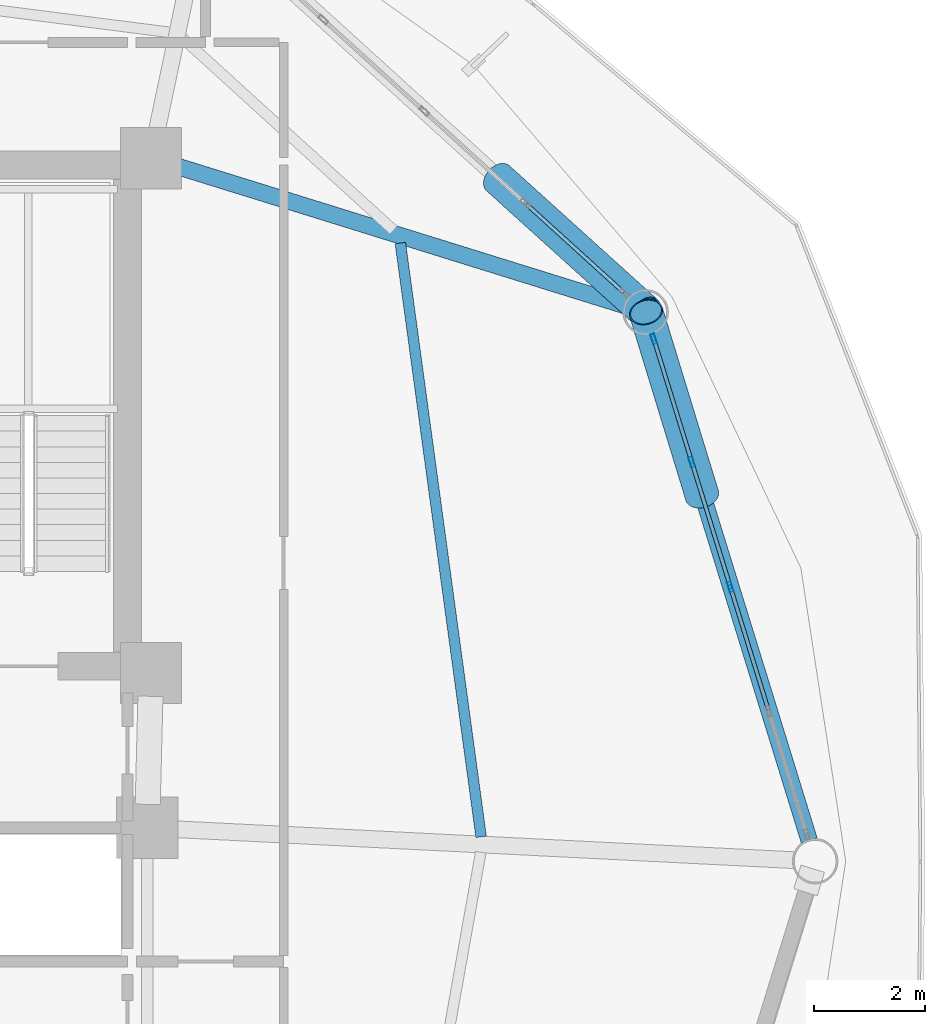
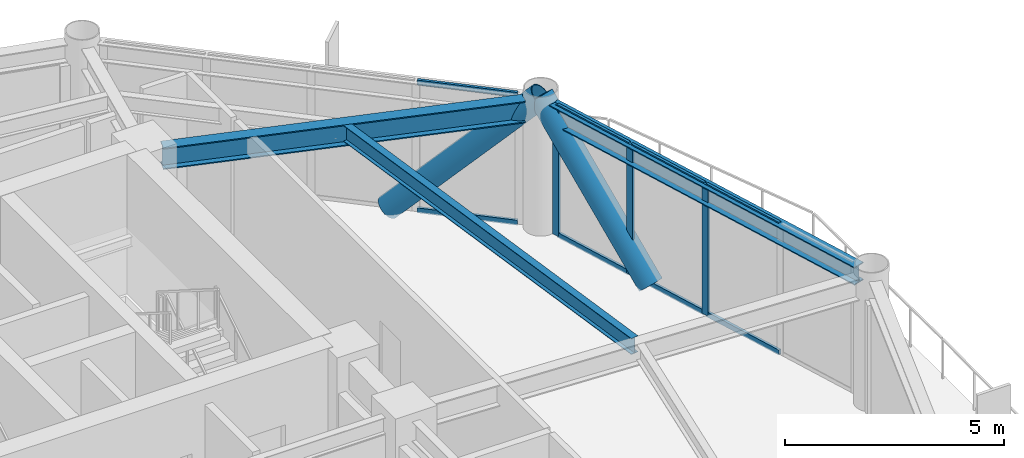
# One storey, part 13 of 23: 13 members, 3 beams, 2 elements without a shape of their own.
"""IFC4 building model written with IfcOpenShell, lengths in metres."""

from ifc_helpers import new_model, si_unit, direction, frame, origin, origin_2d, place, context, subcontext, project, spatial, hollow_rectangle, hollow_circle, i_section, extrude, material, layer, layer_set, material_profile, profile_set, type_object, element, aggregate, save


model = new_model("IFC4")

# Units and contexts
model_context = context("Model", 3, precision=1e-05, world=origin(), true_north=direction((0.0, 1.0)))
body_context = subcontext(model_context, "Body", "Model", "MODEL_VIEW")
ifc_project = project(units=[si_unit("LENGTHUNIT", "METRE"), si_unit("AREAUNIT", "SQUARE_METRE"), si_unit("VOLUMEUNIT", "CUBIC_METRE"), si_unit("PLANEANGLEUNIT", "RADIAN"), si_unit("MASSUNIT", "GRAM", prefix="KILO")], contexts=[model_context])

# Site, building, storey
site_placement = place(None, origin())
site = spatial("IfcSite", under=ifc_project, at=site_placement, CompositionType="ELEMENT")
building_placement = place(site_placement, origin())
building = spatial("IfcBuilding", under=site, at=building_placement, Name="Varnakorn Sky Granary", CompositionType="ELEMENT")
storey_placement = place(building_placement, frame((0.0, 0.0, 83.699951171875)))
storey = spatial("IfcBuildingStorey", under=building, at=storey_placement, Name="L20", CompositionType="ELEMENT", Elevation=83.699951171875)

# Beams
ifc_material_1 = material(Name="Steel S355JR", Category="steel")
ifc_material_profile_1 = material_profile(ifc_material_1, i_section(OverallWidth=0.300048828125, OverallDepth=0.60009765625, WebThickness=0.015380859375, FlangeThickness=0.030029296875, at=origin_2d()), Name="HE 600 B")
ifc_profile_set_1 = profile_set([ifc_material_profile_1], Name="Steel S355JR")
beam_type_1 = type_object("IfcBeamType", Name="BM-RAD-Z2", PredefinedType="BEAM", material=ifc_profile_set_1)
beam_1_placement = place(storey_placement, frame((8.821044921875, 12.495361328125, 3.340087890625), z_axis=(0.954911658406, -0.296890088486, 0.0), x_axis=(0.296890088486, 0.954911658406, 0.0)))
element("IfcBeam", 1, at=beam_1_placement, inside=storey, type_object=beam_type_1, Name="Radial Floor Girder RG02 L20", PredefinedType="BEAM", context=body_context, shape_type="SweptSolid", body=[
    extrude(i_section(OverallWidth=0.300048828125, OverallDepth=0.60009765625, WebThickness=0.015380859375, FlangeThickness=0.030029296875, at=origin_2d()), origin(), (0.0, 0.0, 1.0), 8.493896484375),
])
ifc_material_profile_2 = material_profile(ifc_material_1, i_section(OverallWidth=0.18994140625, OverallDepth=0.449951171875, WebThickness=0.009521484375, FlangeThickness=0.0146484375, at=origin_2d()), Name="IPE 450")
ifc_profile_set_2 = profile_set([ifc_material_profile_2], Name="Steel S355JR")
beam_type_2 = type_object("IfcBeamType", Name="BM-SEC-Z2", PredefinedType="BEAM", material=ifc_profile_set_2)
beam_2_placement = place(storey_placement, frame((14.345458984375, 0.43798828125, 3.4150390625), z_axis=(-0.134805274658, 0.990872109772, 0.0), x_axis=(-0.990872109772, -0.134805274658, 0.0)))
element("IfcBeam", 2, at=beam_2_placement, inside=storey, type_object=beam_type_2, Name="Secondary Floor Chord Beam MSB01 L20", PredefinedType="BEAM", context=body_context, shape_type="SweptSolid", body=[
    extrude(i_section(OverallWidth=0.18994140625, OverallDepth=0.449951171875, WebThickness=0.009521484375, FlangeThickness=0.0146484375, at=origin_2d()), origin(), (0.0, 0.0, 1.0), 10.755859375),
])
ifc_material_profile_3 = material_profile(ifc_material_1, i_section(OverallWidth=0.300048828125, OverallDepth=0.5, WebThickness=0.014404296875, FlangeThickness=0.028076171875, at=origin_2d()), Name="HE 500 B")
ifc_profile_set_3 = profile_set([ifc_material_profile_3], Name="Steel S355JR")
beam_type_3 = type_object("IfcBeamType", Name="BM-SPD-Z2", PredefinedType="SPANDREL", material=ifc_profile_set_3)
beam_3_placement = place(storey_placement, frame((20.234619140625, 0.3740234375, 3.39013671875), z_axis=(-0.295100569663, 0.955466197091, 0.0), x_axis=(-0.955466197091, -0.295100569663, 0.0)))
element("IfcBeam", 3, at=beam_3_placement, inside=storey, type_object=beam_type_3, Name="Perimeter Spandrel Ring Beam RB01 L20", PredefinedType="SPANDREL", context=body_context, shape_type="SweptSolid", body=[
    extrude(i_section(OverallWidth=0.300048828125, OverallDepth=0.5, WebThickness=0.014404296875, FlangeThickness=0.028076171875, at=origin_2d()), origin(), (0.0, 0.0, 1.0), 9.533935546875),
])

# Curtain wall, members
ifc_material_2 = material(Name="Anodised Bronze Aluminium Alloy 6063-T6", Category="aluminium")
ifc_layer = layer(ifc_material_2, 0.18994140625, Name="Anodised Bronze Aluminium Alloy 6063-T6")
ifc_layer_set = layer_set([ifc_layer], Name="Anodised Bronze Aluminium Alloy 6063-T6")
curtain_wall_type = type_object("IfcCurtainWallType", Name="CW-FRM-1", PredefinedType="USERDEFINED", material=ifc_layer_set)
curtain_wall_1_placement = place(storey_placement, origin())
curtain_wall_1 = element("IfcCurtainWall", 4, at=curtain_wall_1_placement, inside=storey, type_object=curtain_wall_type, Name="Unitised Curtain Wall CW3 CW-L20-B01", ObjectType="CURTAIN WALL", PredefinedType="USERDEFINED")
ifc_material_profile_4 = material_profile(ifc_material_2, hollow_rectangle(XDim=0.070068359375, YDim=0.18505859375, WallThickness=0.00390625, at=origin_2d()), Name="ALU MULL 70x185")
ifc_profile_set_4 = profile_set([ifc_material_profile_4], Name="Anodised Bronze Aluminium Alloy 6063-T6")
member_type_1 = type_object("IfcMemberType", Name="CW-FRM-1-MULL", PredefinedType="MULLION", material=ifc_profile_set_4)
member_1_placement = place(storey_placement, frame((17.445068359375, 9.374267578125, 0.0), z_axis=(0.0, 0.0, 1.0), x_axis=(0.955474912193, 0.295072350738, 0.0)))
member_1 = element("IfcMember", 5, at=member_1_placement, type_object=member_type_1, Name="CW3 mullion 1", PredefinedType="MULLION", context=body_context, shape_type="SweptSolid", body=[
    extrude(hollow_rectangle(XDim=0.070068359375, YDim=0.18505859375, WallThickness=0.00390625, at=origin_2d()), origin(), (0.0, 0.0, 1.0), 3.64013671875),
])
member_2_placement = place(storey_placement, frame((18.126708984375, 7.167236328125, 0.0), z_axis=(0.0, 0.0, 1.0), x_axis=(0.955474912193, 0.295072350738, 0.0)))
member_2 = element("IfcMember", 6, at=member_2_placement, type_object=member_type_1, Name="CW3 mullion 2", PredefinedType="MULLION", context=body_context, shape_type="SweptSolid", body=[
    extrude(hollow_rectangle(XDim=0.070068359375, YDim=0.18505859375, WallThickness=0.00390625, at=origin_2d()), origin(), (0.0, 0.0, 1.0), 3.64013671875),
])
member_3_placement = place(storey_placement, frame((18.818603515625, 4.9267578125, 0.0), z_axis=(0.0, 0.0, 1.0), x_axis=(0.955474912193, 0.295072350738, 0.0)))
member_3 = element("IfcMember", 7, at=member_3_placement, type_object=member_type_1, Name="CW3 mullion 3", PredefinedType="MULLION", context=body_context, shape_type="SweptSolid", body=[
    extrude(hollow_rectangle(XDim=0.070068359375, YDim=0.18505859375, WallThickness=0.00390625, at=origin_2d()), origin(), (0.0, 0.0, 1.0), 3.64013671875),
])
ifc_material_profile_5 = material_profile(ifc_material_2, hollow_rectangle(XDim=0.070068359375, YDim=0.139892578125, WallThickness=0.00341796875, at=origin_2d()), Name="ALU TRAN 70x140")
ifc_profile_set_5 = profile_set([ifc_material_profile_5], Name="Anodised Bronze Aluminium Alloy 6063-T6")
member_type_2 = type_object("IfcMemberType", Name="CW-FRM-1-TRAN", PredefinedType="USERDEFINED", material=ifc_profile_set_5)
member_4_placement = place(storey_placement, frame((17.455322265625, 9.3408203125, 0.03515625), z_axis=(0.295058432825, -0.955479210249, 0.0), x_axis=(0.955479210249, 0.295058432825, 0.0)))
member_4 = element("IfcMember", 8, at=member_4_placement, type_object=member_type_2, Name="CW3 transom 1.1", ObjectType="TRANSOM", PredefinedType="USERDEFINED", context=body_context, shape_type="SweptSolid", body=[
    extrude(hollow_rectangle(XDim=0.070068359375, YDim=0.139892578125, WallThickness=0.00341796875, at=origin_2d()), origin(), (0.0, 0.0, 1.0), 2.23974609375),
])
member_5_placement = place(storey_placement, frame((17.455322265625, 9.3408203125, 3.60498046875), z_axis=(0.295058432825, -0.955479210249, 0.0), x_axis=(0.955479210249, 0.295058432825, 0.0)))
member_5 = element("IfcMember", 9, at=member_5_placement, type_object=member_type_2, Name="CW3 transom 1.2", ObjectType="TRANSOM", PredefinedType="USERDEFINED", context=body_context, shape_type="SweptSolid", body=[
    extrude(hollow_rectangle(XDim=0.070068359375, YDim=0.139892578125, WallThickness=0.00341796875, at=origin_2d()), origin(), (0.0, 0.0, 1.0), 2.23974609375),
])
member_6_placement = place(storey_placement, frame((18.136962890625, 7.1337890625, 0.03515625), z_axis=(0.295028399745, -0.95548848415, 0.0), x_axis=(0.95548848415, 0.295028399745, 0.0)))
member_6 = element("IfcMember", 10, at=member_6_placement, type_object=member_type_2, Name="CW3 transom 2.1", ObjectType="TRANSOM", PredefinedType="USERDEFINED", context=body_context, shape_type="SweptSolid", body=[
    extrude(hollow_rectangle(XDim=0.070068359375, YDim=0.139892578125, WallThickness=0.00341796875, at=origin_2d()), origin(), (0.0, 0.0, 1.0), 2.27490234375),
])
member_7_placement = place(storey_placement, frame((18.136962890625, 7.1337890625, 3.60498046875), z_axis=(0.295028399745, -0.95548848415, 0.0), x_axis=(0.95548848415, 0.295028399745, 0.0)))
member_7 = element("IfcMember", 11, at=member_7_placement, type_object=member_type_2, Name="CW3 transom 2.2", ObjectType="TRANSOM", PredefinedType="USERDEFINED", context=body_context, shape_type="SweptSolid", body=[
    extrude(hollow_rectangle(XDim=0.070068359375, YDim=0.139892578125, WallThickness=0.00341796875, at=origin_2d()), origin(), (0.0, 0.0, 1.0), 2.27490234375),
])
member_8_placement = place(storey_placement, frame((18.828857421875, 4.893310546875, 0.03515625), z_axis=(0.295126375669, -0.955458226394, 0.0), x_axis=(0.955458226394, 0.295126375669, 0.0)))
member_8 = element("IfcMember", 12, at=member_8_placement, type_object=member_type_2, Name="CW3 transom 3.1", ObjectType="TRANSOM", PredefinedType="USERDEFINED", context=body_context, shape_type="SweptSolid", body=[
    extrude(hollow_rectangle(XDim=0.070068359375, YDim=0.139892578125, WallThickness=0.00341796875, at=origin_2d()), origin(), (0.0, 0.0, 1.0), 2.27490234375),
])
member_9_placement = place(storey_placement, frame((18.828857421875, 4.893310546875, 3.60498046875), z_axis=(0.295126375669, -0.955458226394, 0.0), x_axis=(0.955458226394, 0.295126375669, 0.0)))
member_9 = element("IfcMember", 13, at=member_9_placement, type_object=member_type_2, Name="CW3 transom 3.2", ObjectType="TRANSOM", PredefinedType="USERDEFINED", context=body_context, shape_type="SweptSolid", body=[
    extrude(hollow_rectangle(XDim=0.070068359375, YDim=0.139892578125, WallThickness=0.00341796875, at=origin_2d()), origin(), (0.0, 0.0, 1.0), 2.27490234375),
])
aggregate(curtain_wall_1, [member_1, member_2, member_3, member_4, member_5, member_6, member_7, member_8, member_9])

curtain_wall_2_placement = place(storey_placement, origin())
curtain_wall_2 = element("IfcCurtainWall", 14, at=curtain_wall_2_placement, inside=storey, type_object=curtain_wall_type, Name="Unitised Curtain Wall CW3 CW-L20-B02", ObjectType="CURTAIN WALL", PredefinedType="USERDEFINED")
member_10_placement = place(storey_placement, frame((15.1640625, 11.7900390625, 0.03515625), z_axis=(0.740387541262, -0.672180250189, 0.0), x_axis=(0.672180250189, 0.740387541262, 0.0)))
member_10 = element("IfcMember", 15, at=member_10_placement, type_object=member_type_2, Name="CW3 transom 4.1", ObjectType="TRANSOM", PredefinedType="USERDEFINED", context=body_context, shape_type="SweptSolid", body=[
    extrude(hollow_rectangle(XDim=0.070068359375, YDim=0.139892578125, WallThickness=0.00341796875, at=origin_2d()), origin(), (0.0, 0.0, 1.0), 2.344482421875),
])
member_11_placement = place(storey_placement, frame((15.1640625, 11.7900390625, 3.60498046875), z_axis=(0.740387541262, -0.672180250189, 0.0), x_axis=(0.672180250189, 0.740387541262, 0.0)))
member_11 = element("IfcMember", 16, at=member_11_placement, type_object=member_type_2, Name="CW3 transom 4.2", ObjectType="TRANSOM", PredefinedType="USERDEFINED", context=body_context, shape_type="SweptSolid", body=[
    extrude(hollow_rectangle(XDim=0.070068359375, YDim=0.139892578125, WallThickness=0.00341796875, at=origin_2d()), origin(), (0.0, 0.0, 1.0), 2.344482421875),
])
aggregate(curtain_wall_2, [member_10, member_11])

# Members
ifc_material_3 = material(Name="Steel S460M", Category="steel")
ifc_material_profile_6 = material_profile(ifc_material_3, hollow_circle(Radius=0.304931640625, WallThickness=0.022216796875, at=origin_2d()), Name="CHS 610x22")
ifc_profile_set_6 = profile_set([ifc_material_profile_6], Name="Steel S460M")
member_type_3 = type_object("IfcMemberType", Name="MB-DIAG-T1", PredefinedType="BRACE", material=ifc_profile_set_6)
member_12_placement = place(storey_placement, frame((18.311279296875, 6.569091796875, 0.0), z_axis=(-0.200822151392, 0.656682096893, 0.726938159082), x_axis=(-0.956282650096, -0.292443999981, 0.0)))
element("IfcMember", 17, at=member_12_placement, inside=storey, type_object=member_type_3, Name="Perimeter CHS Diagrid Brace DG01 L20", PredefinedType="BRACE", context=body_context, shape_type="SweptSolid", body=[
    extrude(hollow_circle(Radius=0.304931640625, WallThickness=0.022216796875, at=origin_2d()), origin(), (0.0, 0.0, 1.0), 5.007568359375),
])
member_13_placement = place(storey_placement, frame((14.64892578125, 12.2578125, 0.0), z_axis=(0.520321998691, -0.470116328904, 0.71292051098), x_axis=(0.670402536768, 0.741997600195, 0.0)))
element("IfcMember", 18, at=member_13_placement, inside=storey, type_object=member_type_3, Name="Perimeter CHS Diagrid Brace DG02 L20", PredefinedType="BRACE", context=body_context, shape_type="SweptSolid", body=[
    extrude(hollow_circle(Radius=0.304931640625, WallThickness=0.022216796875, at=origin_2d()), origin(), (0.0, 0.0, 1.0), 5.10595703125),
])

save(model, "model.ifc")
